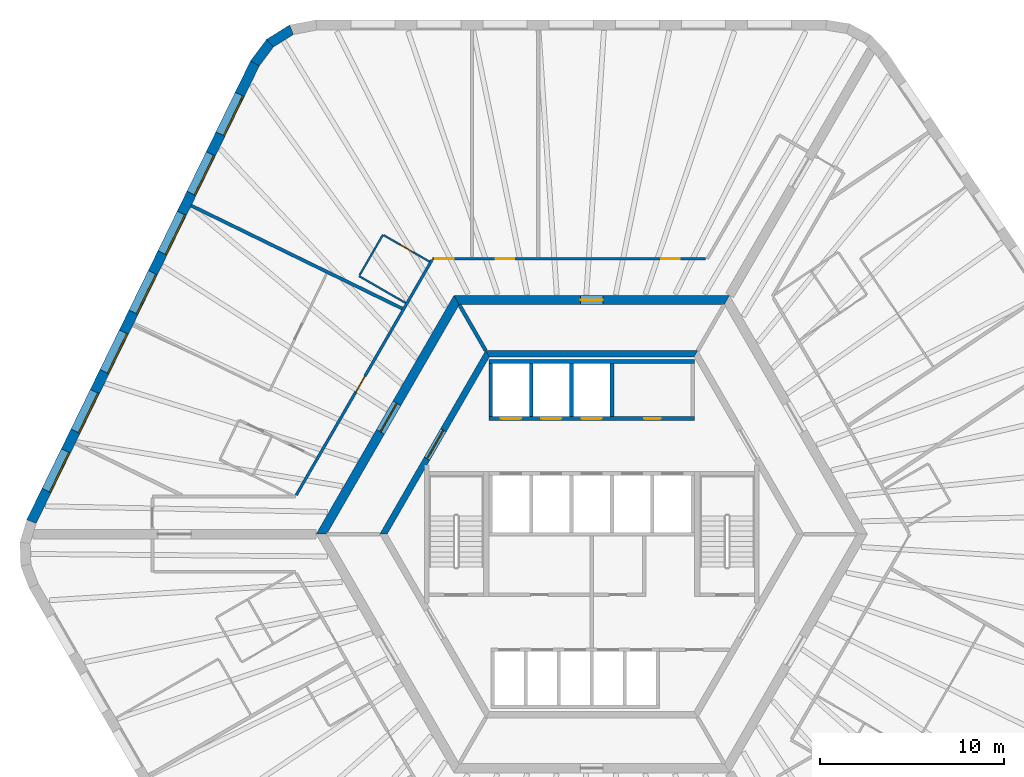
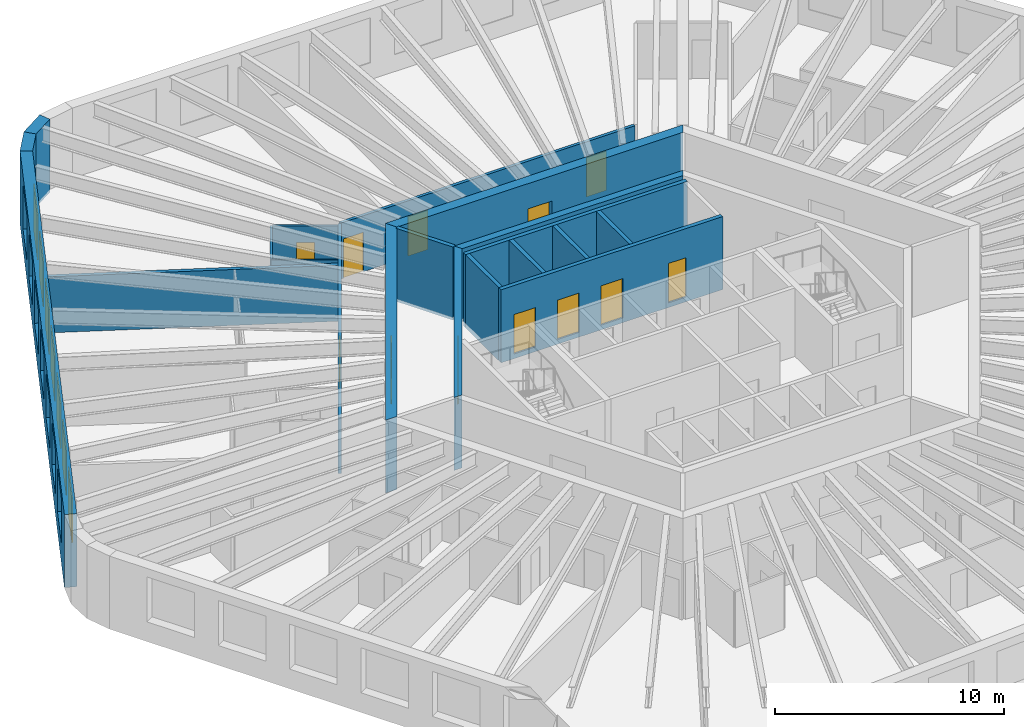
# One storey, part 7 of 10: 20 walls, 12 doors, 7 windows, 19 openings.
"""IFC4 building model written with IfcOpenShell, lengths in metres."""

from ifc_helpers import new_model, si_unit, direction, frame, frame_2d, origin, place, context, subcontext, project, spatial, polyline, rectangle, outline, extrude, material, layer, layer_set, type_object, element, fill, save


model = new_model("IFC4")

# Units and contexts
model_context = context("Model", 3, precision=1e-05, world=origin(), true_north=direction((0.0, 1.0)))
body_context = subcontext(model_context, "Body", "Model", "MODEL_VIEW")
ifc_project = project(units=[si_unit("LENGTHUNIT", "METRE"), si_unit("AREAUNIT", "SQUARE_METRE"), si_unit("VOLUMEUNIT", "CUBIC_METRE"), si_unit("PLANEANGLEUNIT", "RADIAN"), si_unit("MASSUNIT", "GRAM", prefix="KILO")], contexts=[model_context])

# Site, building, storey
site_placement = place(None, origin())
site = spatial("IfcSite", under=ifc_project, at=site_placement, CompositionType="ELEMENT")
building_placement = place(site_placement, origin())
building = spatial("IfcBuilding", under=site, at=building_placement, Name="Tarnside Tower", CompositionType="ELEMENT")
storey_placement = place(building_placement, frame((0.0, 0.0, 172.199951171875)))
storey = spatial("IfcBuildingStorey", under=building, at=storey_placement, Name="L40", CompositionType="ELEMENT", Elevation=172.199951171875)

# Walls
ifc_material_1 = material(Name="Gypsum board partition on steel studs", Category="steel")
ifc_layer_1 = layer(ifc_material_1, 0.10009765625)
ifc_layer_set_1 = layer_set([ifc_layer_1], Name="Bathroom wall 100")
wall_type_1 = type_object("IfcWallType", Name="Bathroom wall 100", PredefinedType="PARTITIONING", material=ifc_layer_set_1)
wall_1_placement = place(storey_placement, frame((-10.137939453125, 12.5908203125, 0.0), z_axis=(0.0, 0.0, 1.0), x_axis=(-0.866025730634, 0.499999433879, 0.0)))
element("IfcWall", 1, at=wall_1_placement, inside=storey, type_object=wall_type_1, Name="Bathroom wall 12047", PredefinedType="PARTITIONING", context=body_context, shape_type="SweptSolid", body=[
    extrude(rectangle(XDim=2.9248046875, YDim=0.10009765625, at=frame_2d((1.46240234375, 0.0))), origin(), (0.0, 0.0, 1.0), 2.98779296875),
])
wall_2_placement = place(storey_placement, frame((-12.64599609375, 14.096435546875, 0.0), z_axis=(0.0, 0.0, 1.0), x_axis=(0.500020783669, 0.866013403995, 0.0)))
element("IfcWall", 2, at=wall_2_placement, inside=storey, type_object=wall_type_1, Name="Bathroom wall 12048", PredefinedType="PARTITIONING", context=body_context, shape_type="SweptSolid", body=[
    extrude(rectangle(XDim=2.55029296875, YDim=0.10009765625, at=frame_2d((1.275146484375, 0.0))), origin(), (0.0, 0.0, 1.0), 2.98779296875),
])

# Wall, opening, door
wall_3_placement = place(storey_placement, frame((-11.32763671875, 16.280029296875, 0.0), z_axis=(0.0, 0.0, 1.0), x_axis=(0.865981939951, -0.500075274012, 0.0)))
wall_3 = element("IfcWall", 3, at=wall_3_placement, inside=storey, type_object=wall_type_1, Name="Bathroom wall 12049", PredefinedType="PARTITIONING", context=body_context, shape_type="SweptSolid", body=[
    extrude(rectangle(XDim=2.875, YDim=0.10009765625, at=frame_2d((1.4375, 0.0))), origin(), (0.0, 0.0, 1.0), 2.98779296875),
])
opening_1_placement = place(wall_3_placement, frame((1.050048828125, 0.0, 0.0)))
opening_1 = element("IfcOpeningElement", 4, at=opening_1_placement, cuts=wall_3, Name="Opening D-B1", PredefinedType="OPENING", context=body_context, shape_type="SweptSolid", body=[
    extrude(rectangle(XDim=0.800048828125, YDim=2.10009765625, at=frame_2d((0.39990234375, 1.050048828125))), frame((0.0, 0.06005859375, 0.0), z_axis=(0.0, -1.0, 0.0), x_axis=(1.0, 0.0, 0.0)), (0.0, 0.0, 1.0), 0.1201171875),
])
ifc_material_2 = material(Name="Timber door leaf", Category="wood")
door_type_1 = type_object("IfcDoorType", Name="Bathroom door 800", OperationType="NOTDEFINED", PredefinedType="DOOR", material=ifc_material_2)
door_1_placement = place(opening_1_placement, origin())
door_1 = element("IfcDoor", 5, at=door_1_placement, inside=storey, type_object=door_type_1, Name="Bathroom door 12004", OperationType="SINGLE_SWING_LEFT", OverallHeight=2.10009765625, OverallWidth=0.800048828125, PredefinedType="DOOR", context=body_context, shape_type="SweptSolid", body=[
    extrude(rectangle(XDim=0.800048828125, YDim=2.10009765625, at=frame_2d((0.39990234375, 1.050048828125))), frame((0.0, 0.02490234375, 0.0), z_axis=(0.0, -1.0, 0.0), x_axis=(1.0, 0.0, 0.0)), (0.0, 0.0, 1.0), 0.050048828125),
])
fill(opening_1, door_1)

ifc_material_3 = material(Name="Concrete C50/60", Category="concrete")
ifc_layer_2 = layer(ifc_material_3, 0.35009765625)
ifc_layer_set_2 = layer_set([ifc_layer_2], Name="Core block wall 350 C50/60")
wall_type_2 = type_object("IfcWallType", Name="Core block wall 350 C50/60", PredefinedType="SHEAR", material=ifc_layer_set_2)
wall_4_placement = place(storey_placement, frame((-5.672607421875, 9.824951171875, -0.14990234375), z_axis=(0.0, 0.0, 1.0), x_axis=(-0.499995046907, -0.866028263435, 0.0)))
wall_4 = element("IfcWall", 6, at=wall_4_placement, inside=storey, type_object=wall_type_2, Name="L40 core block wall face 2", PredefinedType="SHEAR", context=body_context, shape_type="SweptSolid", body=[
    extrude(outline(polyline([(-0.10107421875, -0.175048828125), (11.44580078125, -0.175048828125), (11.24365234375, 0.175048828125), (0.10107421875, 0.175048828125), (-0.10107421875, -0.175048828125)])), origin(), (0.0, 0.0, 1.0), 3.89990234375),
])
opening_2_placement = place(wall_4_placement, frame((4.80126953125, 0.0, 0.14990234375)))
opening_2 = element("IfcOpeningElement", 7, at=opening_2_placement, cuts=wall_4, Name="Opening CD-LOB", PredefinedType="OPENING", context=body_context, shape_type="SweptSolid", body=[
    extrude(rectangle(XDim=1.800048828125, YDim=2.39990234375, at=frame_2d((0.89990234375, 1.199951171875))), frame((0.0, 0.18505859375, 0.0), z_axis=(0.0, -1.0, 0.0), x_axis=(1.0, 0.0, 0.0)), (0.0, 0.0, 1.0), 0.3701171875),
])
ifc_material_4 = material(Name="Steel fire door", Category="steel")
door_type_2 = type_object("IfcDoorType", Name="Lobby double door FD30S 1800x2400", OperationType="NOTDEFINED", PredefinedType="DOOR", material=ifc_material_4)
door_2_placement = place(opening_2_placement, origin())
door_2 = element("IfcDoor", 8, at=door_2_placement, inside=storey, type_object=door_type_2, Name="L40 lobby block door P1", OperationType="DOUBLE_DOOR_SINGLE_SWING", OverallHeight=2.39990234375, OverallWidth=1.800048828125, PredefinedType="DOOR", context=body_context, shape_type="SweptSolid", body=[
    extrude(rectangle(XDim=1.800048828125, YDim=2.39990234375, at=frame_2d((0.89990234375, 1.199951171875))), frame((0.0, 0.02490234375, 0.0), z_axis=(0.0, -1.0, 0.0), x_axis=(1.0, 0.0, 0.0)), (0.0, 0.0, 1.0), 0.050048828125),
])
fill(opening_2, door_2)

# Wall
wall_5_placement = place(storey_placement, frame((5.672607421875, 9.824951171875, -0.14990234375), z_axis=(0.0, 0.0, 1.0), x_axis=(-1.0, 0.0, 0.0)))
element("IfcWall", 9, at=wall_5_placement, inside=storey, type_object=wall_type_2, Name="L40 core block wall face 1", PredefinedType="SHEAR", context=body_context, shape_type="SweptSolid", body=[
    extrude(outline(polyline([(-0.10107421875, -0.175048828125), (11.4462890625, -0.175048828125), (11.244140625, 0.175048828125), (0.10107421875, 0.175048828125), (-0.10107421875, -0.175048828125)])), origin(), (0.0, 0.0, 1.0), 3.89990234375),
])

# Wall, opening, door
ifc_material_5 = material(Name="Concrete C70/85", Category="concrete")
ifc_layer_3 = layer(ifc_material_5, 0.5)
ifc_layer_set_3 = layer_set([ifc_layer_3], Name="Core wall Z2 500 C70/85")
wall_type_3 = type_object("IfcWallType", Name="Core wall Z2 500 C70/85", PredefinedType="SHEAR", material=ifc_layer_set_3)
wall_6_placement = place(storey_placement, frame((-7.361083984375, 12.75, -0.14990234375), z_axis=(0.0, 0.0, 1.0), x_axis=(-0.50000571537, -0.866022103989, 0.0)))
wall_6 = element("IfcWall", 10, at=wall_6_placement, inside=storey, type_object=wall_type_3, Name="L40 core wall face 2", PredefinedType="SHEAR", context=body_context, shape_type="SweptSolid", body=[
    extrude(outline(polyline([(-0.144287109375, -0.25), (14.86669921875, -0.25), (14.578125, 0.25), (0.144287109375, 0.25), (-0.144287109375, -0.25)])), origin(), (0.0, 0.0, 1.0), 3.89990234375),
])
opening_3_placement = place(wall_6_placement, frame((6.489990234375, 0.0, 0.14990234375)))
opening_3 = element("IfcOpeningElement", 11, at=opening_3_placement, cuts=wall_6, Name="Opening CD-LOB", PredefinedType="OPENING", context=body_context, shape_type="SweptSolid", body=[
    extrude(rectangle(XDim=1.800048828125, YDim=2.39990234375, at=frame_2d((0.89990234375, 1.199951171875))), frame((0.0, 0.260009765625, 0.0), z_axis=(0.0, -1.0, 0.0), x_axis=(1.0, 0.0, 0.0)), (0.0, 0.0, 1.0), 0.52001953125),
])
door_3_placement = place(opening_3_placement, origin())
door_3 = element("IfcDoor", 12, at=door_3_placement, inside=storey, type_object=door_type_2, Name="L40 core door P1", OperationType="DOUBLE_DOOR_SINGLE_SWING", OverallHeight=2.39990234375, OverallWidth=1.800048828125, PredefinedType="DOOR", context=body_context, shape_type="SweptSolid", body=[
    extrude(rectangle(XDim=1.800048828125, YDim=2.39990234375, at=frame_2d((0.89990234375, 1.199951171875))), frame((0.0, 0.02490234375, 0.0), z_axis=(0.0, -1.0, 0.0), x_axis=(1.0, 0.0, 0.0)), (0.0, 0.0, 1.0), 0.050048828125),
])
fill(opening_3, door_3)

wall_7_placement = place(storey_placement, frame((7.361083984375, 12.75, -0.14990234375), z_axis=(0.0, 0.0, 1.0), x_axis=(-1.0, 0.0, 0.0)))
wall_7 = element("IfcWall", 13, at=wall_7_placement, inside=storey, type_object=wall_type_3, Name="L40 core wall face 1", PredefinedType="SHEAR", context=body_context, shape_type="SweptSolid", body=[
    extrude(outline(polyline([(-0.144287109375, -0.25), (14.866455078125, -0.25), (14.577880859375, 0.25), (0.144287109375, 0.25), (-0.144287109375, -0.25)])), origin(), (0.0, 0.0, 1.0), 3.89990234375),
])
opening_4_placement = place(wall_7_placement, frame((6.76123046875, 0.0, 0.14990234375)))
opening_4 = element("IfcOpeningElement", 14, at=opening_4_placement, cuts=wall_7, Name="Opening CD-RSR", PredefinedType="OPENING", context=body_context, shape_type="SweptSolid", body=[
    extrude(rectangle(XDim=1.199951171875, YDim=2.39990234375, at=frame_2d((0.60009765625, 1.199951171875))), frame((0.0, 0.260009765625, 0.0), z_axis=(0.0, -1.0, 0.0), x_axis=(1.0, 0.0, 0.0)), (0.0, 0.0, 1.0), 0.52001953125),
])
door_type_3 = type_object("IfcDoorType", Name="Riser door FD60 1200x2400", OperationType="NOTDEFINED", PredefinedType="DOOR", material=ifc_material_4)
door_4_placement = place(opening_4_placement, origin())
door_4 = element("IfcDoor", 15, at=door_4_placement, inside=storey, type_object=door_type_3, Name="L40 core door S5", OperationType="SINGLE_SWING_LEFT", OverallHeight=2.39990234375, OverallWidth=1.199951171875, PredefinedType="DOOR", context=body_context, shape_type="SweptSolid", body=[
    extrude(rectangle(XDim=1.199951171875, YDim=2.39990234375, at=frame_2d((0.60009765625, 1.199951171875))), frame((0.0, 0.02490234375, 0.0), z_axis=(0.0, -1.0, 0.0), x_axis=(1.0, 0.0, 0.0)), (0.0, 0.0, 1.0), 0.050048828125),
])
fill(opening_4, door_4)

# Wall, openings, doors
ifc_layer_4 = layer(ifc_material_1, 0.14990234375)
ifc_layer_set_4 = layer_set([ifc_layer_4], Name="Corridor wall 150 EI 60")
wall_type_4 = type_object("IfcWallType", Name="Corridor wall 150 EI 60", PredefinedType="PARTITIONING", material=ifc_layer_set_4)
wall_8_placement = place(storey_placement, frame((6.20654296875, 15.0, 0.0), z_axis=(0.0, 0.0, 1.0), x_axis=(-1.0, 0.0, 0.0)))
wall_8 = element("IfcWall", 16, at=wall_8_placement, inside=storey, type_object=wall_type_4, Name="Corridor wall 12003", PredefinedType="PARTITIONING", context=body_context, shape_type="SweptSolid", body=[
    extrude(rectangle(XDim=14.86669921875, YDim=0.14990234375, at=frame_2d((7.433349609375, 0.0))), origin(), (0.0, 0.0, 1.0), 2.98779296875),
])
opening_5_placement = place(wall_8_placement, frame((1.42431640625, 0.0, 0.0)))
opening_5 = element("IfcOpeningElement", 17, at=opening_5_placement, cuts=wall_8, Name="Opening D-E1", PredefinedType="OPENING", context=body_context, shape_type="SweptSolid", body=[
    extrude(rectangle(XDim=1.0, YDim=2.10009765625, at=frame_2d((0.5, 1.050048828125))), frame((0.0, 0.0849609375, 0.0), z_axis=(0.0, -1.0, 0.0), x_axis=(1.0, 0.0, 0.0)), (0.0, 0.0, 1.0), 0.169921875),
])
opening_6_placement = place(wall_8_placement, frame((10.42431640625, 0.0, 0.0)))
opening_6 = element("IfcOpeningElement", 18, at=opening_6_placement, cuts=wall_8, Name="Opening D-E1", PredefinedType="OPENING", context=body_context, shape_type="SweptSolid", body=[
    extrude(rectangle(XDim=1.0, YDim=2.10009765625, at=frame_2d((0.5, 1.050048828125))), frame((0.0, 0.0849609375, 0.0), z_axis=(0.0, -1.0, 0.0), x_axis=(1.0, 0.0, 0.0)), (0.0, 0.0, 1.0), 0.169921875),
])
opening_7_placement = place(wall_8_placement, frame((13.716796875, 0.0, 0.0)))
opening_7 = element("IfcOpeningElement", 19, at=opening_7_placement, cuts=wall_8, Name="Opening D-E1", PredefinedType="OPENING", context=body_context, shape_type="SweptSolid", body=[
    extrude(rectangle(XDim=1.0, YDim=2.10009765625, at=frame_2d((0.5, 1.050048828125))), frame((0.0, 0.0849609375, 0.0), z_axis=(0.0, -1.0, 0.0), x_axis=(1.0, 0.0, 0.0)), (0.0, 0.0, 1.0), 0.169921875),
])
door_type_4 = type_object("IfcDoorType", Name="Unit entrance door 1000 FD30S", OperationType="NOTDEFINED", PredefinedType="DOOR", material=ifc_material_2)
door_5_placement = place(opening_5_placement, origin())
door_5 = element("IfcDoor", 20, at=door_5_placement, inside=storey, type_object=door_type_4, Name="Unit door 12001", OperationType="SINGLE_SWING_RIGHT", OverallHeight=2.10009765625, OverallWidth=1.0, PredefinedType="DOOR", context=body_context, shape_type="SweptSolid", body=[
    extrude(rectangle(XDim=1.0, YDim=2.10009765625, at=frame_2d((0.5, 1.050048828125))), frame((0.0, 0.02490234375, 0.0), z_axis=(0.0, -1.0, 0.0), x_axis=(1.0, 0.0, 0.0)), (0.0, 0.0, 1.0), 0.050048828125),
])
fill(opening_5, door_5)
door_6_placement = place(opening_6_placement, origin())
door_6 = element("IfcDoor", 21, at=door_6_placement, inside=storey, type_object=door_type_4, Name="Unit door 12002", OperationType="SINGLE_SWING_RIGHT", OverallHeight=2.10009765625, OverallWidth=1.0, PredefinedType="DOOR", context=body_context, shape_type="SweptSolid", body=[
    extrude(rectangle(XDim=1.0, YDim=2.10009765625, at=frame_2d((0.5, 1.050048828125))), frame((0.0, 0.02490234375, 0.0), z_axis=(0.0, -1.0, 0.0), x_axis=(1.0, 0.0, 0.0)), (0.0, 0.0, 1.0), 0.050048828125),
])
fill(opening_6, door_6)
door_7_placement = place(opening_7_placement, origin())
door_7 = element("IfcDoor", 22, at=door_7_placement, inside=storey, type_object=door_type_4, Name="Unit door 12003", OperationType="SINGLE_SWING_LEFT", OverallHeight=2.10009765625, OverallWidth=1.0, PredefinedType="DOOR", context=body_context, shape_type="SweptSolid", body=[
    extrude(rectangle(XDim=1.0, YDim=2.10009765625, at=frame_2d((0.5, 1.050048828125))), frame((0.0, 0.02490234375, 0.0), z_axis=(0.0, -1.0, 0.0), x_axis=(1.0, 0.0, 0.0)), (0.0, 0.0, 1.0), 0.050048828125),
])
fill(opening_7, door_7)

# Wall, opening, door
wall_9_placement = place(storey_placement, frame((-8.70361328125, 14.925048828125, 0.0), z_axis=(0.0, 0.0, 1.0), x_axis=(-0.499988884089, -0.866031821464, 0.0)))
wall_9 = element("IfcWall", 23, at=wall_9_placement, inside=storey, type_object=wall_type_4, Name="Corridor wall 12005", PredefinedType="PARTITIONING", context=body_context, shape_type="SweptSolid", body=[
    extrude(rectangle(XDim=14.780029296875, YDim=0.14990234375, at=frame_2d((7.39013671875, 0.0))), origin(), (0.0, 0.0, 1.0), 2.98779296875),
])
opening_8_placement = place(wall_9_placement, frame((7.28076171875, 0.0, 0.0)))
opening_8 = element("IfcOpeningElement", 24, at=opening_8_placement, cuts=wall_9, Name="Opening D-E1", PredefinedType="OPENING", context=body_context, shape_type="SweptSolid", body=[
    extrude(rectangle(XDim=1.0, YDim=2.10009765625, at=frame_2d((0.5, 1.050048828125))), frame((0.0, 0.0849609375, 0.0), z_axis=(0.0, -1.0, 0.0), x_axis=(1.0, 0.0, 0.0)), (0.0, 0.0, 1.0), 0.169921875),
])
door_8_placement = place(opening_8_placement, origin())
door_8 = element("IfcDoor", 25, at=door_8_placement, inside=storey, type_object=door_type_4, Name="Unit door 12005", OperationType="SINGLE_SWING_RIGHT", OverallHeight=2.10009765625, OverallWidth=1.0, PredefinedType="DOOR", context=body_context, shape_type="SweptSolid", body=[
    extrude(rectangle(XDim=1.0, YDim=2.10009765625, at=frame_2d((0.5, 1.050048828125))), frame((0.0, 0.02490234375, 0.0), z_axis=(0.0, -1.0, 0.0), x_axis=(1.0, 0.0, 0.0)), (0.0, 0.0, 1.0), 0.050048828125),
])
fill(opening_8, door_8)

# Wall
ifc_layer_5 = layer(ifc_material_1, 0.179931640625)
ifc_layer_set_5 = layer_set([ifc_layer_5], Name="Demising wall 180 EI 60")
wall_type_5 = type_object("IfcWallType", Name="Demising wall 180 EI 60", PredefinedType="PARTITIONING", material=ifc_layer_set_5)
wall_10_placement = place(storey_placement, frame((-21.814697265625, 17.8916015625, 0.0), z_axis=(0.0, 0.0, 1.0), x_axis=(0.898799253997, -0.438360469265, 0.0)))
element("IfcWall", 26, at=wall_10_placement, inside=storey, type_object=wall_type_5, Name="Demising wall 12050", PredefinedType="PARTITIONING", context=body_context, shape_type="SweptSolid", body=[
    extrude(rectangle(XDim=12.7939453125, YDim=0.179931640625, at=frame_2d((6.39697265625, 0.0))), origin(), (0.0, 0.0, 1.0), 2.98779296875),
])

# Wall, openings, doors
ifc_material_6 = material(Name="Concrete C40/50", Category="concrete")
ifc_layer_6 = layer(ifc_material_6, 0.199951171875)
ifc_layer_set_6 = layer_set([ifc_layer_6], Name="Lift shaft wall 200 C40/50")
wall_type_6 = type_object("IfcWallType", Name="Lift shaft wall 200 C40/50", PredefinedType="SHEAR", material=ifc_layer_set_6)
wall_11_placement = place(storey_placement, frame((-5.60009765625, 6.300048828125, -0.25), z_axis=(0.0, 0.0, 1.0), x_axis=(1.0, 0.0, 0.0)))
wall_11 = element("IfcWall", 27, at=wall_11_placement, inside=storey, type_object=wall_type_6, Name="L40 lift shaft front wall R1", PredefinedType="SHEAR", context=body_context, shape_type="SweptSolid", body=[
    extrude(rectangle(XDim=11.2001953125, YDim=0.199951171875, at=frame_2d((5.60009765625, 0.0))), origin(), (0.0, 0.0, 1.0), 3.900146484375),
])
opening_9_placement = place(wall_11_placement, frame((8.449951171875, 0.0, 0.25)))
opening_9 = element("IfcOpeningElement", 28, at=opening_9_placement, cuts=wall_11, Name="Opening CD-room", PredefinedType="OPENING", context=body_context, shape_type="SweptSolid", body=[
    extrude(rectangle(XDim=0.89990234375, YDim=2.10009765625, at=frame_2d((0.449951171875, 1.050048828125))), frame((0.0, 0.10986328125, 0.0), z_axis=(0.0, -1.0, 0.0), x_axis=(1.0, 0.0, 0.0)), (0.0, 0.0, 1.0), 0.219970703125),
])
opening_10_placement = place(wall_11_placement, frame((0.64990234375, 0.0, 0.25)))
opening_10 = element("IfcOpeningElement", 29, at=opening_10_placement, cuts=wall_11, Name="Opening LD", PredefinedType="OPENING", context=body_context, shape_type="SweptSolid", body=[
    extrude(rectangle(XDim=1.10009765625, YDim=2.10009765625, at=frame_2d((0.550048828125, 1.050048828125))), frame((0.0, 0.10986328125, 0.0), z_axis=(0.0, -1.0, 0.0), x_axis=(1.0, 0.0, 0.0)), (0.0, 0.0, 1.0), 0.219970703125),
])
opening_11_placement = place(wall_11_placement, frame((2.85009765625, 0.0, 0.25)))
opening_11 = element("IfcOpeningElement", 30, at=opening_11_placement, cuts=wall_11, Name="Opening LD", PredefinedType="OPENING", context=body_context, shape_type="SweptSolid", body=[
    extrude(rectangle(XDim=1.10009765625, YDim=2.10009765625, at=frame_2d((0.550048828125, 1.050048828125))), frame((0.0, 0.10986328125, 0.0), z_axis=(0.0, -1.0, 0.0), x_axis=(1.0, 0.0, 0.0)), (0.0, 0.0, 1.0), 0.219970703125),
])
opening_12_placement = place(wall_11_placement, frame((5.050048828125, 0.0, 0.25)))
opening_12 = element("IfcOpeningElement", 31, at=opening_12_placement, cuts=wall_11, Name="Opening LD", PredefinedType="OPENING", context=body_context, shape_type="SweptSolid", body=[
    extrude(rectangle(XDim=1.10009765625, YDim=2.10009765625, at=frame_2d((0.550048828125, 1.050048828125))), frame((0.0, 0.10986328125, 0.0), z_axis=(0.0, -1.0, 0.0), x_axis=(1.0, 0.0, 0.0)), (0.0, 0.0, 1.0), 0.219970703125),
])
ifc_material_7 = material(Name="Stainless steel", Category="steel")
door_type_5 = type_object("IfcDoorType", Name="Lift landing door 1100x2100", OperationType="NOTDEFINED", PredefinedType="DOOR", material=ifc_material_7)
door_9_placement = place(opening_10_placement, origin())
door_9 = element("IfcDoor", 32, at=door_9_placement, inside=storey, type_object=door_type_5, Name="Mid-rise lift 1 landing door L40", OperationType="SLIDING_TO_LEFT", OverallHeight=2.10009765625, OverallWidth=1.10009765625, PredefinedType="DOOR", context=body_context, shape_type="SweptSolid", body=[
    extrude(rectangle(XDim=1.10009765625, YDim=2.10009765625, at=frame_2d((0.550048828125, 1.050048828125))), frame((0.0, 0.02490234375, 0.0), z_axis=(0.0, -1.0, 0.0), x_axis=(1.0, 0.0, 0.0)), (0.0, 0.0, 1.0), 0.050048828125),
])
fill(opening_10, door_9)
door_10_placement = place(opening_11_placement, origin())
door_10 = element("IfcDoor", 33, at=door_10_placement, inside=storey, type_object=door_type_5, Name="Mid-rise lift 2 landing door L40", OperationType="SLIDING_TO_LEFT", OverallHeight=2.10009765625, OverallWidth=1.10009765625, PredefinedType="DOOR", context=body_context, shape_type="SweptSolid", body=[
    extrude(rectangle(XDim=1.10009765625, YDim=2.10009765625, at=frame_2d((0.550048828125, 1.050048828125))), frame((0.0, 0.02490234375, 0.0), z_axis=(0.0, -1.0, 0.0), x_axis=(1.0, 0.0, 0.0)), (0.0, 0.0, 1.0), 0.050048828125),
])
fill(opening_11, door_10)
door_11_placement = place(opening_12_placement, origin())
door_11 = element("IfcDoor", 34, at=door_11_placement, inside=storey, type_object=door_type_5, Name="Mid-rise lift 3 landing door L40", OperationType="SLIDING_TO_LEFT", OverallHeight=2.10009765625, OverallWidth=1.10009765625, PredefinedType="DOOR", context=body_context, shape_type="SweptSolid", body=[
    extrude(rectangle(XDim=1.10009765625, YDim=2.10009765625, at=frame_2d((0.550048828125, 1.050048828125))), frame((0.0, 0.02490234375, 0.0), z_axis=(0.0, -1.0, 0.0), x_axis=(1.0, 0.0, 0.0)), (0.0, 0.0, 1.0), 0.050048828125),
])
fill(opening_12, door_11)
door_type_6 = type_object("IfcDoorType", Name="Room door FD60 900x2100", OperationType="NOTDEFINED", PredefinedType="DOOR", material=ifc_material_4)
door_12_placement = place(opening_9_placement, origin())
door_12 = element("IfcDoor", 35, at=door_12_placement, inside=storey, type_object=door_type_6, Name="L40 core room door FC1", OperationType="SINGLE_SWING_LEFT", OverallHeight=2.10009765625, OverallWidth=0.89990234375, PredefinedType="DOOR", context=body_context, shape_type="SweptSolid", body=[
    extrude(rectangle(XDim=0.89990234375, YDim=2.10009765625, at=frame_2d((0.449951171875, 1.050048828125))), frame((0.0, 0.02490234375, 0.0), z_axis=(0.0, -1.0, 0.0), x_axis=(1.0, 0.0, 0.0)), (0.0, 0.0, 1.0), 0.050048828125),
])
fill(opening_9, door_12)

# Walls
wall_12_placement = place(storey_placement, frame((-5.60009765625, 9.39990234375, -0.25), z_axis=(0.0, 0.0, 1.0), x_axis=(1.0, 0.0, 0.0)))
element("IfcWall", 36, at=wall_12_placement, inside=storey, type_object=wall_type_6, Name="L40 lift shaft back wall R1", PredefinedType="SHEAR", context=body_context, shape_type="SweptSolid", body=[
    extrude(rectangle(XDim=11.2001953125, YDim=0.199951171875, at=frame_2d((5.60009765625, 0.0))), origin(), (0.0, 0.0, 1.0), 3.900146484375),
])
for number, where, z_axis, x_axis, name in (
    (37, (-5.5, 6.39990234375, -0.25), (0.0, 0.0, 1.0), (0.0, 1.0, 0.0), "L40 lift shaft partition R11"),
    (38, (-3.300048828125, 6.39990234375, -0.25), (0.0, 0.0, 1.0), (0.0, 1.0, 0.0), "L40 lift shaft partition R12"),
    (39, (-1.10009765625, 6.39990234375, -0.25), (0.0, 0.0, 1.0), (0.0, 1.0, 0.0), "L40 lift shaft partition R13"),
    (40, (1.10009765625, 6.39990234375, -0.25), (0.0, 0.0, 1.0), (0.0, 1.0, 0.0), "L40 lift shaft partition R14"),
):
    element("IfcWall", number, at=place(storey_placement, frame(where, z_axis=z_axis, x_axis=x_axis)), inside=storey, type_object=wall_type_6, Name=name, PredefinedType="SHEAR", context=body_context, shape_type="SweptSolid", body=[
        extrude(rectangle(XDim=2.900146484375, YDim=0.199951171875, at=frame_2d((1.4501953125, 0.0))), origin(), (0.0, 0.0, 1.0), 3.900146484375),
    ])
wall_13_placement = place(storey_placement, frame((-5.7734375, 10.0, -0.14990234375), z_axis=(0.0, 0.0, 1.0), x_axis=(-0.499995765644, 0.866027848477, 0.0)))
element("IfcWall", 41, at=wall_13_placement, inside=storey, type_object=wall_type_6, Name="L40 core partition AR120", PredefinedType="SHEAR", context=body_context, shape_type="SweptSolid", body=[
    extrude(rectangle(XDim=2.88671875, YDim=0.199951171875, at=frame_2d((1.443359375, 0.0))), origin(), (0.0, 0.0, 1.0), 3.89990234375),
])
ifc_material_8 = material(Name="Facing brick", Category="masonry")
ifc_layer_7 = layer(ifc_material_8, 0.10205078125)
ifc_material_9 = material(Name="Concrete C60/75 precast", Category="concrete")
ifc_layer_8 = layer(ifc_material_9, 0.347900390625)
ifc_material_10 = material(Name="Mineral wool insulation")
ifc_layer_9 = layer(ifc_material_10, 0.10009765625)
ifc_layer_set_7 = layer_set([ifc_layer_7, ifc_layer_8, ifc_layer_9], Name="Tube wall 550 brick faced")
wall_type_7 = type_object("IfcWallType", Name="Tube wall 550 brick faced", PredefinedType="SOLIDWALL", material=ifc_layer_set_7)
wall_14_placement = place(storey_placement, frame((-16.35205078125, 27.4697265625, -0.14990234375), z_axis=(0.0, 0.0, 1.0), x_axis=(-0.848057977594, -0.5299034503, 0.0)))
element("IfcWall", 42, at=wall_14_placement, inside=storey, type_object=wall_type_7, Name="Tube wall L40 F1 chord 02", PredefinedType="SOLIDWALL", context=body_context, shape_type="SweptSolid", body=[
    extrude(outline(polyline([(-0.0517578125, -0.27490234375), (1.4306640625, -0.27490234375), (1.3271484375, 0.27490234375), (0.0517578125, 0.27490234375), (-0.0517578125, -0.27490234375)])), origin(), (0.0, 0.0, 1.0), 3.89990234375),
])
wall_15_placement = place(storey_placement, frame((-17.521484375, 26.739013671875, -0.14990234375), z_axis=(0.0, 0.0, 1.0), x_axis=(-0.597135295884, -0.802140535324, 0.0)))
element("IfcWall", 43, at=wall_15_placement, inside=storey, type_object=wall_type_7, Name="Tube wall L40 F1 chord 03", PredefinedType="SOLIDWALL", context=body_context, shape_type="SweptSolid", body=[
    extrude(outline(polyline([(-0.0517578125, -0.27490234375), (1.40478515625, -0.27490234375), (1.353515625, 0.27490234375), (0.0517578125, 0.27490234375), (-0.0517578125, -0.27490234375)])), origin(), (0.0, 0.0, 1.0), 3.89990234375),
])

# Wall, openings, windows
wall_16_placement = place(storey_placement, frame((-18.344970703125, 25.6328125, -0.14990234375), z_axis=(0.0, 0.0, 1.0), x_axis=(-0.43837181828, -0.898793718791, 0.0)))
wall_16 = element("IfcWall", 44, at=wall_16_placement, inside=storey, type_object=wall_type_7, Name="Tube wall L40 F2 flush 04", PredefinedType="SOLIDWALL", context=body_context, shape_type="SweptSolid", body=[
    extrude(outline(polyline([(-0.025634765625, -0.27490234375), (27.7802734375, -0.27490234375), (27.7353515625, 0.27490234375), (0.025634765625, 0.27490234375), (-0.025634765625, -0.27490234375)])), origin(), (0.0, 0.0, 1.0), 3.89990234375),
])
opening_13_placement = place(wall_16_placement, frame((1.87890625, 0.0, 1.050048828125)))
opening_13 = element("IfcOpeningElement", 45, at=opening_13_placement, cuts=wall_16, Name="Opening WH", PredefinedType="OPENING", context=body_context, shape_type="SweptSolid", body=[
    extrude(rectangle(XDim=2.39990234375, YDim=2.39990234375, at=frame_2d((1.199951171875, 1.199951171875))), frame((0.0, 0.28515625, 0.0), z_axis=(0.0, -1.0, 0.0), x_axis=(1.0, 0.0, 0.0)), (0.0, 0.0, 1.0), 0.570068359375),
])
opening_14_placement = place(wall_16_placement, frame((5.47900390625, 0.0, 1.050048828125)))
opening_14 = element("IfcOpeningElement", 46, at=opening_14_placement, cuts=wall_16, Name="Opening WH", PredefinedType="OPENING", context=body_context, shape_type="SweptSolid", body=[
    extrude(rectangle(XDim=2.39990234375, YDim=2.39990234375, at=frame_2d((1.199951171875, 1.199951171875))), frame((0.0, 0.28515625, 0.0), z_axis=(0.0, -1.0, 0.0), x_axis=(1.0, 0.0, 0.0)), (0.0, 0.0, 1.0), 0.570068359375),
])
opening_15_placement = place(wall_16_placement, frame((9.078857421875, 0.0, 1.050048828125)))
opening_15 = element("IfcOpeningElement", 47, at=opening_15_placement, cuts=wall_16, Name="Opening WH", PredefinedType="OPENING", context=body_context, shape_type="SweptSolid", body=[
    extrude(rectangle(XDim=2.39990234375, YDim=2.39990234375, at=frame_2d((1.199951171875, 1.199951171875))), frame((0.0, 0.28515625, 0.0), z_axis=(0.0, -1.0, 0.0), x_axis=(1.0, 0.0, 0.0)), (0.0, 0.0, 1.0), 0.570068359375),
])
opening_16_placement = place(wall_16_placement, frame((12.678955078125, 0.0, 1.050048828125)))
opening_16 = element("IfcOpeningElement", 48, at=opening_16_placement, cuts=wall_16, Name="Opening WH", PredefinedType="OPENING", context=body_context, shape_type="SweptSolid", body=[
    extrude(rectangle(XDim=2.39990234375, YDim=2.39990234375, at=frame_2d((1.199951171875, 1.199951171875))), frame((0.0, 0.28515625, 0.0), z_axis=(0.0, -1.0, 0.0), x_axis=(1.0, 0.0, 0.0)), (0.0, 0.0, 1.0), 0.570068359375),
])
opening_17_placement = place(wall_16_placement, frame((16.27880859375, 0.0, 1.050048828125)))
opening_17 = element("IfcOpeningElement", 49, at=opening_17_placement, cuts=wall_16, Name="Opening WH", PredefinedType="OPENING", context=body_context, shape_type="SweptSolid", body=[
    extrude(rectangle(XDim=2.39990234375, YDim=2.39990234375, at=frame_2d((1.199951171875, 1.199951171875))), frame((0.0, 0.28515625, 0.0), z_axis=(0.0, -1.0, 0.0), x_axis=(1.0, 0.0, 0.0)), (0.0, 0.0, 1.0), 0.570068359375),
])
opening_18_placement = place(wall_16_placement, frame((19.87890625, 0.0, 1.050048828125)))
opening_18 = element("IfcOpeningElement", 50, at=opening_18_placement, cuts=wall_16, Name="Opening WH", PredefinedType="OPENING", context=body_context, shape_type="SweptSolid", body=[
    extrude(rectangle(XDim=2.39990234375, YDim=2.39990234375, at=frame_2d((1.199951171875, 1.199951171875))), frame((0.0, 0.28515625, 0.0), z_axis=(0.0, -1.0, 0.0), x_axis=(1.0, 0.0, 0.0)), (0.0, 0.0, 1.0), 0.570068359375),
])
opening_19_placement = place(wall_16_placement, frame((23.47900390625, 0.0, 1.050048828125)))
opening_19 = element("IfcOpeningElement", 51, at=opening_19_placement, cuts=wall_16, Name="Opening WH", PredefinedType="OPENING", context=body_context, shape_type="SweptSolid", body=[
    extrude(rectangle(XDim=2.39990234375, YDim=2.39990234375, at=frame_2d((1.199951171875, 1.199951171875))), frame((0.0, 0.28515625, 0.0), z_axis=(0.0, -1.0, 0.0), x_axis=(1.0, 0.0, 0.0)), (0.0, 0.0, 1.0), 0.570068359375),
])
ifc_material_11 = material(Name="Aluminium-framed double glazing", Category="aluminium")
window_type = type_object("IfcWindowType", Name="Hotel window 2400 x 2400", PartitioningType="DOUBLE_PANEL_VERTICAL", PredefinedType="WINDOW", material=ifc_material_11)
window_1_placement = place(opening_13_placement, frame((0.0, 0.205078125, 0.0)))
window_1 = element("IfcWindow", 52, at=window_1_placement, inside=storey, type_object=window_type, Name="E.WN.L40.F2.00", OverallHeight=2.39990234375, OverallWidth=2.39990234375, PartitioningType="DOUBLE_PANEL_VERTICAL", PredefinedType="WINDOW", context=body_context, shape_type="SweptSolid", body=[
    extrude(rectangle(XDim=2.39990234375, YDim=2.39990234375, at=frame_2d((1.199951171875, 1.199951171875))), frame((0.0, 0.030029296875, 0.0), z_axis=(0.0, -1.0, 0.0), x_axis=(1.0, 0.0, 0.0)), (0.0, 0.0, 1.0), 0.06005859375),
])
fill(opening_13, window_1)
window_2_placement = place(opening_14_placement, frame((0.0, 0.205078125, 0.0)))
window_2 = element("IfcWindow", 53, at=window_2_placement, inside=storey, type_object=window_type, Name="E.WN.L40.F2.01", OverallHeight=2.39990234375, OverallWidth=2.39990234375, PartitioningType="DOUBLE_PANEL_VERTICAL", PredefinedType="WINDOW", context=body_context, shape_type="SweptSolid", body=[
    extrude(rectangle(XDim=2.39990234375, YDim=2.39990234375, at=frame_2d((1.199951171875, 1.199951171875))), frame((0.0, 0.030029296875, 0.0), z_axis=(0.0, -1.0, 0.0), x_axis=(1.0, 0.0, 0.0)), (0.0, 0.0, 1.0), 0.06005859375),
])
fill(opening_14, window_2)
window_3_placement = place(opening_15_placement, frame((0.0, 0.205078125, 0.0)))
window_3 = element("IfcWindow", 54, at=window_3_placement, inside=storey, type_object=window_type, Name="E.WN.L40.F2.02", OverallHeight=2.39990234375, OverallWidth=2.39990234375, PartitioningType="DOUBLE_PANEL_VERTICAL", PredefinedType="WINDOW", context=body_context, shape_type="SweptSolid", body=[
    extrude(rectangle(XDim=2.39990234375, YDim=2.39990234375, at=frame_2d((1.199951171875, 1.199951171875))), frame((0.0, 0.030029296875, 0.0), z_axis=(0.0, -1.0, 0.0), x_axis=(1.0, 0.0, 0.0)), (0.0, 0.0, 1.0), 0.06005859375),
])
fill(opening_15, window_3)
window_4_placement = place(opening_16_placement, frame((0.0, 0.205078125, 0.0)))
window_4 = element("IfcWindow", 55, at=window_4_placement, inside=storey, type_object=window_type, Name="E.WN.L40.F2.03", OverallHeight=2.39990234375, OverallWidth=2.39990234375, PartitioningType="DOUBLE_PANEL_VERTICAL", PredefinedType="WINDOW", context=body_context, shape_type="SweptSolid", body=[
    extrude(rectangle(XDim=2.39990234375, YDim=2.39990234375, at=frame_2d((1.199951171875, 1.199951171875))), frame((0.0, 0.030029296875, 0.0), z_axis=(0.0, -1.0, 0.0), x_axis=(1.0, 0.0, 0.0)), (0.0, 0.0, 1.0), 0.06005859375),
])
fill(opening_16, window_4)
window_5_placement = place(opening_17_placement, frame((0.0, 0.205078125, 0.0)))
window_5 = element("IfcWindow", 56, at=window_5_placement, inside=storey, type_object=window_type, Name="E.WN.L40.F2.04", OverallHeight=2.39990234375, OverallWidth=2.39990234375, PartitioningType="DOUBLE_PANEL_VERTICAL", PredefinedType="WINDOW", context=body_context, shape_type="SweptSolid", body=[
    extrude(rectangle(XDim=2.39990234375, YDim=2.39990234375, at=frame_2d((1.199951171875, 1.199951171875))), frame((0.0, 0.030029296875, 0.0), z_axis=(0.0, -1.0, 0.0), x_axis=(1.0, 0.0, 0.0)), (0.0, 0.0, 1.0), 0.06005859375),
])
fill(opening_17, window_5)
window_6_placement = place(opening_18_placement, frame((0.0, 0.205078125, 0.0)))
window_6 = element("IfcWindow", 57, at=window_6_placement, inside=storey, type_object=window_type, Name="E.WN.L40.F2.05", OverallHeight=2.39990234375, OverallWidth=2.39990234375, PartitioningType="DOUBLE_PANEL_VERTICAL", PredefinedType="WINDOW", context=body_context, shape_type="SweptSolid", body=[
    extrude(rectangle(XDim=2.39990234375, YDim=2.39990234375, at=frame_2d((1.199951171875, 1.199951171875))), frame((0.0, 0.030029296875, 0.0), z_axis=(0.0, -1.0, 0.0), x_axis=(1.0, 0.0, 0.0)), (0.0, 0.0, 1.0), 0.06005859375),
])
fill(opening_18, window_6)
window_7_placement = place(opening_19_placement, frame((0.0, 0.205078125, 0.0)))
window_7 = element("IfcWindow", 58, at=window_7_placement, inside=storey, type_object=window_type, Name="E.WN.L40.F2.06", OverallHeight=2.39990234375, OverallWidth=2.39990234375, PartitioningType="DOUBLE_PANEL_VERTICAL", PredefinedType="WINDOW", context=body_context, shape_type="SweptSolid", body=[
    extrude(rectangle(XDim=2.39990234375, YDim=2.39990234375, at=frame_2d((1.199951171875, 1.199951171875))), frame((0.0, 0.030029296875, 0.0), z_axis=(0.0, -1.0, 0.0), x_axis=(1.0, 0.0, 0.0)), (0.0, 0.0, 1.0), 0.06005859375),
])
fill(opening_19, window_7)

save(model, "model.ifc")
